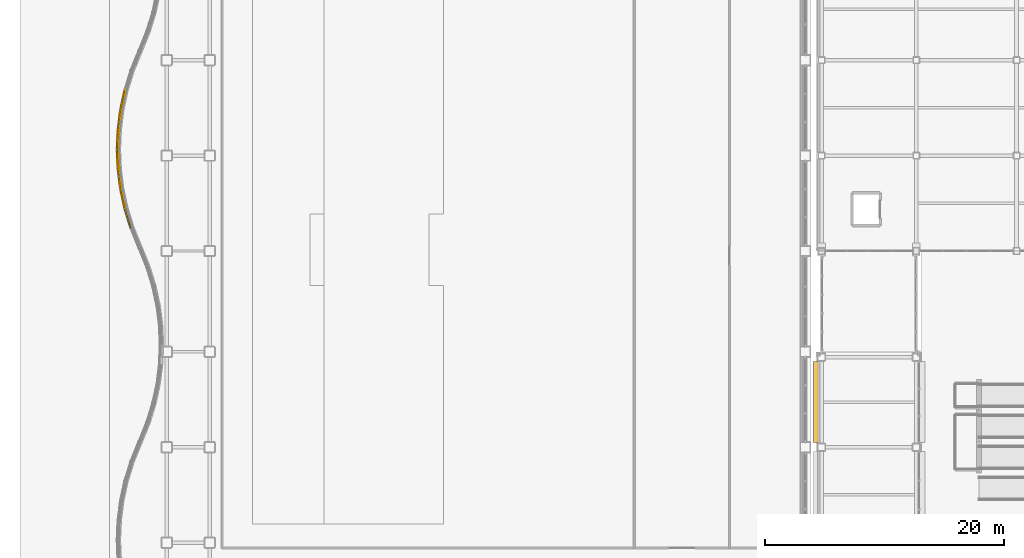
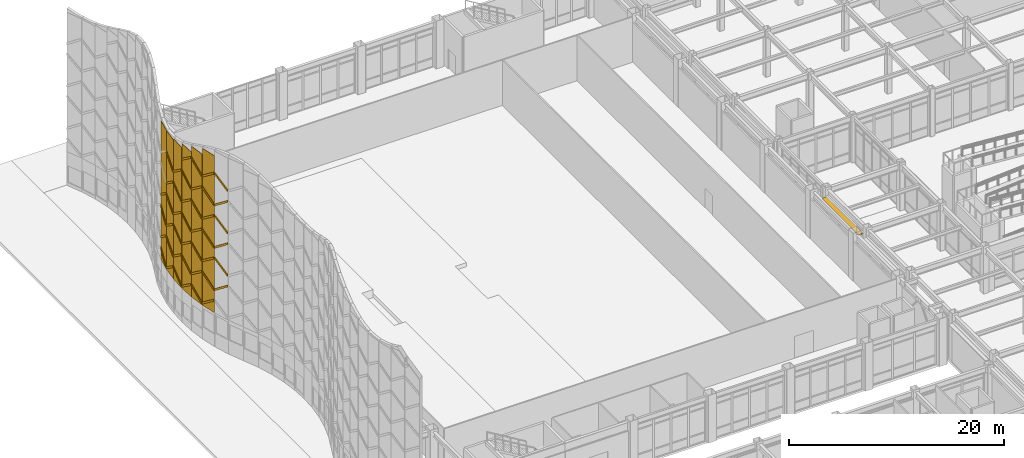
# One storey, part 154 of 165: 49 coverings, 1 shading device.
"""IFC4 building model written with IfcOpenShell, lengths in metres."""

from ifc_helpers import new_model, si_unit, direction, frame, origin, origin_2d, place, context, subcontext, project, spatial, polyline, rectangle, outline, extrude, material, layer, layer_set, type_object, element, save


model = new_model("IFC4")

# Units and contexts
model_context = context("Model", 3, precision=1e-05, world=origin(), true_north=direction((0.0, 1.0)))
body_context = subcontext(model_context, "Body", "Model", "MODEL_VIEW")
ifc_project = project(units=[si_unit("LENGTHUNIT", "METRE"), si_unit("AREAUNIT", "SQUARE_METRE"), si_unit("VOLUMEUNIT", "CUBIC_METRE"), si_unit("PLANEANGLEUNIT", "RADIAN"), si_unit("MASSUNIT", "GRAM", prefix="KILO")], contexts=[model_context])

# Site, building, storey
site_placement = place(None, origin())
site = spatial("IfcSite", under=ifc_project, at=site_placement, CompositionType="ELEMENT")
building_placement = place(site_placement, origin())
building = spatial("IfcBuilding", under=site, at=building_placement, Name="Kazehara Bluff Congress Hotel", CompositionType="ELEMENT")
storey_placement = place(building_placement, origin())
storey = spatial("IfcBuildingStorey", under=building, at=storey_placement, Name="L00", CompositionType="ELEMENT", Elevation=0.0)

# Coverings
ifc_material_1 = material(Name="Basalt stone-grey chevron ceramic tile", Category="masonry")
ifc_layer_1 = layer(ifc_material_1, 0.1201171875)
ifc_layer_set_1 = layer_set([ifc_layer_1], Name="Basalt stone-grey chevron ceramic tile")
covering_type_1 = type_object("IfcCoveringType", Name="TP-CHV-RIB", PredefinedType="CLADDING", material=ifc_layer_set_1)
covering_1_placement = place(storey_placement, frame((1.764892578125, 82.81494140625, 6.39990234375), z_axis=(0.0, 0.0, 1.0), x_axis=(-0.295048165385, 0.955482380844, 0.0)))
element("IfcCovering", 1, at=covering_1_placement, inside=storey, type_object=covering_type_1, Name="Chevron stone-grey tile rib WR-V1-22-2", PredefinedType="CLADDING", context=body_context, shape_type="SweptSolid", body=[
    extrude(outline(polyline([(0.0400390625, 1.175048828125), (1.669921875, 0.0), (1.669921875, 0.239990234375), (0.0400390625, 1.4150390625), (0.0400390625, 1.175048828125)])), frame((0.0, 0.06005859375, 0.0), z_axis=(0.0, -1.0, 0.0), x_axis=(1.0, 0.0, 0.0)), (0.0, 0.0, 1.0), 0.1201171875),
])
covering_2_placement = place(storey_placement, frame((1.764892578125, 82.81494140625, 8.800048828125), z_axis=(0.0, 0.0, 1.0), x_axis=(-0.295048165385, 0.955482380844, 0.0)))
element("IfcCovering", 2, at=covering_2_placement, inside=storey, type_object=covering_type_1, Name="Chevron stone-grey tile rib WR-V1-22-3", PredefinedType="CLADDING", context=body_context, shape_type="SweptSolid", body=[
    extrude(outline(polyline([(0.0400390625, 0.0), (1.669921875, 1.175048828125), (1.669921875, 1.4150390625), (0.0400390625, 0.239990234375), (0.0400390625, 0.0)])), frame((0.0, 0.06005859375, 0.0), z_axis=(0.0, -1.0, 0.0), x_axis=(1.0, 0.0, 0.0)), (0.0, 0.0, 1.0), 0.1201171875),
])
covering_3_placement = place(storey_placement, frame((1.764892578125, 82.81494140625, 11.199951171875), z_axis=(0.0, 0.0, 1.0), x_axis=(-0.295048165385, 0.955482380844, 0.0)))
element("IfcCovering", 3, at=covering_3_placement, inside=storey, type_object=covering_type_1, Name="Chevron stone-grey tile rib WR-V1-22-4", PredefinedType="CLADDING", context=body_context, shape_type="SweptSolid", body=[
    extrude(outline(polyline([(0.0400390625, 1.175048828125), (1.669921875, 0.0), (1.669921875, 0.239990234375), (0.0400390625, 1.4150390625), (0.0400390625, 1.175048828125)])), frame((0.0, 0.06005859375, 0.0), z_axis=(0.0, -1.0, 0.0), x_axis=(1.0, 0.0, 0.0)), (0.0, 0.0, 1.0), 0.1201171875),
])
covering_4_placement = place(storey_placement, frame((1.764892578125, 82.81494140625, 13.60009765625), z_axis=(0.0, 0.0, 1.0), x_axis=(-0.295048165385, 0.955482380844, 0.0)))
element("IfcCovering", 4, at=covering_4_placement, inside=storey, type_object=covering_type_1, Name="Chevron stone-grey tile rib WR-V1-22-5", PredefinedType="CLADDING", context=body_context, shape_type="SweptSolid", body=[
    extrude(outline(polyline([(0.0400390625, 0.0), (1.669921875, 1.1748046875), (1.669921875, 1.414794921875), (0.0400390625, 0.239990234375), (0.0400390625, 0.0)])), frame((0.0, 0.06005859375, 0.0), z_axis=(0.0, -1.0, 0.0), x_axis=(1.0, 0.0, 0.0)), (0.0, 0.0, 1.0), 0.1201171875),
])
covering_5_placement = place(storey_placement, frame((1.764892578125, 82.81494140625, 16.0), z_axis=(0.0, 0.0, 1.0), x_axis=(-0.295048165385, 0.955482380844, 0.0)))
element("IfcCovering", 5, at=covering_5_placement, inside=storey, type_object=covering_type_1, Name="Chevron stone-grey tile rib WR-V1-22-6", PredefinedType="CLADDING", context=body_context, shape_type="SweptSolid", body=[
    extrude(outline(polyline([(0.0400390625, 1.175048828125), (1.669921875, 0.0), (1.669921875, 0.239990234375), (0.0400390625, 1.4150390625), (0.0400390625, 1.175048828125)])), frame((0.0, 0.06005859375, 0.0), z_axis=(0.0, -1.0, 0.0), x_axis=(1.0, 0.0, 0.0)), (0.0, 0.0, 1.0), 0.1201171875),
])
covering_6_placement = place(storey_placement, frame((1.764892578125, 82.81494140625, 18.39990234375), z_axis=(0.0, 0.0, 1.0), x_axis=(-0.295048165385, 0.955482380844, 0.0)))
element("IfcCovering", 6, at=covering_6_placement, inside=storey, type_object=covering_type_1, Name="Chevron stone-grey tile rib WR-V1-22-7", PredefinedType="CLADDING", context=body_context, shape_type="SweptSolid", body=[
    extrude(outline(polyline([(0.0400390625, 0.0), (1.669921875, 1.175048828125), (1.669921875, 1.4150390625), (0.0400390625, 0.239990234375), (0.0400390625, 0.0)])), frame((0.0, 0.06005859375, 0.0), z_axis=(0.0, -1.0, 0.0), x_axis=(1.0, 0.0, 0.0)), (0.0, 0.0, 1.0), 0.1201171875),
])
covering_7_placement = place(storey_placement, frame((1.2548828125, 84.465087890625, 4.0), z_axis=(0.0, 0.0, 1.0), x_axis=(-0.211565717967, 0.97736377413, 0.0)))
element("IfcCovering", 7, at=covering_7_placement, inside=storey, type_object=covering_type_1, Name="Chevron stone-grey tile rib WR-V1-23-1", PredefinedType="CLADDING", context=body_context, shape_type="SweptSolid", body=[
    extrude(outline(polyline([(0.0400390625, 1.14990234375), (1.639892578125, 0.0), (1.639892578125, 0.239990234375), (0.0400390625, 1.389892578125), (0.0400390625, 1.14990234375)])), frame((0.0, 0.06005859375, 0.0), z_axis=(0.0, -1.0, 0.0), x_axis=(1.0, 0.0, 0.0)), (0.0, 0.0, 1.0), 0.1201171875),
])
covering_8_placement = place(storey_placement, frame((1.2548828125, 84.465087890625, 6.39990234375), z_axis=(0.0, 0.0, 1.0), x_axis=(-0.211565717967, 0.97736377413, 0.0)))
element("IfcCovering", 8, at=covering_8_placement, inside=storey, type_object=covering_type_1, Name="Chevron stone-grey tile rib WR-V1-23-2", PredefinedType="CLADDING", context=body_context, shape_type="SweptSolid", body=[
    extrude(outline(polyline([(0.0400390625, 0.0), (1.639892578125, 1.150146484375), (1.639892578125, 1.39013671875), (0.0400390625, 0.239990234375), (0.0400390625, 0.0)])), frame((0.0, 0.06005859375, 0.0), z_axis=(0.0, -1.0, 0.0), x_axis=(1.0, 0.0, 0.0)), (0.0, 0.0, 1.0), 0.1201171875),
])
covering_9_placement = place(storey_placement, frame((1.2548828125, 84.465087890625, 8.800048828125), z_axis=(0.0, 0.0, 1.0), x_axis=(-0.211565717967, 0.97736377413, 0.0)))
element("IfcCovering", 9, at=covering_9_placement, inside=storey, type_object=covering_type_1, Name="Chevron stone-grey tile rib WR-V1-23-3", PredefinedType="CLADDING", context=body_context, shape_type="SweptSolid", body=[
    extrude(outline(polyline([(0.0400390625, 1.14990234375), (1.639892578125, 0.0), (1.639892578125, 0.239990234375), (0.0400390625, 1.389892578125), (0.0400390625, 1.14990234375)])), frame((0.0, 0.06005859375, 0.0), z_axis=(0.0, -1.0, 0.0), x_axis=(1.0, 0.0, 0.0)), (0.0, 0.0, 1.0), 0.1201171875),
])
covering_10_placement = place(storey_placement, frame((1.2548828125, 84.465087890625, 11.199951171875), z_axis=(0.0, 0.0, 1.0), x_axis=(-0.211565717967, 0.97736377413, 0.0)))
element("IfcCovering", 10, at=covering_10_placement, inside=storey, type_object=covering_type_1, Name="Chevron stone-grey tile rib WR-V1-23-4", PredefinedType="CLADDING", context=body_context, shape_type="SweptSolid", body=[
    extrude(outline(polyline([(0.0400390625, 0.0), (1.639892578125, 1.150146484375), (1.639892578125, 1.39013671875), (0.0400390625, 0.239990234375), (0.0400390625, 0.0)])), frame((0.0, 0.06005859375, 0.0), z_axis=(0.0, -1.0, 0.0), x_axis=(1.0, 0.0, 0.0)), (0.0, 0.0, 1.0), 0.1201171875),
])
covering_11_placement = place(storey_placement, frame((1.2548828125, 84.465087890625, 13.60009765625), z_axis=(0.0, 0.0, 1.0), x_axis=(-0.211565717967, 0.97736377413, 0.0)))
element("IfcCovering", 11, at=covering_11_placement, inside=storey, type_object=covering_type_1, Name="Chevron stone-grey tile rib WR-V1-23-5", PredefinedType="CLADDING", context=body_context, shape_type="SweptSolid", body=[
    extrude(outline(polyline([(0.0400390625, 1.14990234375), (1.639892578125, 0.0), (1.639892578125, 0.239990234375), (0.0400390625, 1.389892578125), (0.0400390625, 1.14990234375)])), frame((0.0, 0.06005859375, 0.0), z_axis=(0.0, -1.0, 0.0), x_axis=(1.0, 0.0, 0.0)), (0.0, 0.0, 1.0), 0.1201171875),
])
covering_12_placement = place(storey_placement, frame((1.2548828125, 84.465087890625, 16.0), z_axis=(0.0, 0.0, 1.0), x_axis=(-0.211565717967, 0.97736377413, 0.0)))
element("IfcCovering", 12, at=covering_12_placement, inside=storey, type_object=covering_type_1, Name="Chevron stone-grey tile rib WR-V1-23-6", PredefinedType="CLADDING", context=body_context, shape_type="SweptSolid", body=[
    extrude(outline(polyline([(0.0400390625, 0.0), (1.639892578125, 1.14990234375), (1.639892578125, 1.389892578125), (0.0400390625, 0.239990234375), (0.0400390625, 0.0)])), frame((0.0, 0.06005859375, 0.0), z_axis=(0.0, -1.0, 0.0), x_axis=(1.0, 0.0, 0.0)), (0.0, 0.0, 1.0), 0.1201171875),
])
covering_13_placement = place(storey_placement, frame((1.2548828125, 84.465087890625, 18.39990234375), z_axis=(0.0, 0.0, 1.0), x_axis=(-0.211565717967, 0.97736377413, 0.0)))
element("IfcCovering", 13, at=covering_13_placement, inside=storey, type_object=covering_type_1, Name="Chevron stone-grey tile rib WR-V1-23-7", PredefinedType="CLADDING", context=body_context, shape_type="SweptSolid", body=[
    extrude(outline(polyline([(0.0400390625, 1.150146484375), (1.639892578125, 0.0), (1.639892578125, 0.239990234375), (0.0400390625, 1.39013671875), (0.0400390625, 1.150146484375)])), frame((0.0, 0.06005859375, 0.0), z_axis=(0.0, -1.0, 0.0), x_axis=(1.0, 0.0, 0.0)), (0.0, 0.0, 1.0), 0.1201171875),
])
covering_14_placement = place(storey_placement, frame((0.89501953125, 86.1201171875, 4.0), z_axis=(0.0, 0.0, 1.0), x_axis=(-0.12408927914, 0.992271057122, 0.0)))
element("IfcCovering", 14, at=covering_14_placement, inside=storey, type_object=covering_type_1, Name="Chevron stone-grey tile rib WR-V1-24-1", PredefinedType="CLADDING", context=body_context, shape_type="SweptSolid", body=[
    extrude(outline(polyline([(0.0400390625, 0.0), (1.614990234375, 1.135009765625), (1.614990234375, 1.375), (0.0400390625, 0.239990234375), (0.0400390625, 0.0)])), frame((0.0, 0.06005859375, 0.0), z_axis=(0.0, -1.0, 0.0), x_axis=(1.0, 0.0, 0.0)), (0.0, 0.0, 1.0), 0.1201171875),
])
covering_15_placement = place(storey_placement, frame((0.89501953125, 86.1201171875, 6.39990234375), z_axis=(0.0, 0.0, 1.0), x_axis=(-0.12408927914, 0.992271057122, 0.0)))
element("IfcCovering", 15, at=covering_15_placement, inside=storey, type_object=covering_type_1, Name="Chevron stone-grey tile rib WR-V1-24-2", PredefinedType="CLADDING", context=body_context, shape_type="SweptSolid", body=[
    extrude(outline(polyline([(0.0400390625, 1.135009765625), (1.614990234375, 0.0), (1.614990234375, 0.239990234375), (0.0400390625, 1.375), (0.0400390625, 1.135009765625)])), frame((0.0, 0.06005859375, 0.0), z_axis=(0.0, -1.0, 0.0), x_axis=(1.0, 0.0, 0.0)), (0.0, 0.0, 1.0), 0.1201171875),
])
covering_16_placement = place(storey_placement, frame((0.89501953125, 86.1201171875, 8.800048828125), z_axis=(0.0, 0.0, 1.0), x_axis=(-0.12408927914, 0.992271057122, 0.0)))
element("IfcCovering", 16, at=covering_16_placement, inside=storey, type_object=covering_type_1, Name="Chevron stone-grey tile rib WR-V1-24-3", PredefinedType="CLADDING", context=body_context, shape_type="SweptSolid", body=[
    extrude(outline(polyline([(0.0400390625, 0.0), (1.614990234375, 1.135009765625), (1.614990234375, 1.375), (0.0400390625, 0.239990234375), (0.0400390625, 0.0)])), frame((0.0, 0.06005859375, 0.0), z_axis=(0.0, -1.0, 0.0), x_axis=(1.0, 0.0, 0.0)), (0.0, 0.0, 1.0), 0.1201171875),
])
covering_17_placement = place(storey_placement, frame((0.89501953125, 86.1201171875, 11.199951171875), z_axis=(0.0, 0.0, 1.0), x_axis=(-0.12408927914, 0.992271057122, 0.0)))
element("IfcCovering", 17, at=covering_17_placement, inside=storey, type_object=covering_type_1, Name="Chevron stone-grey tile rib WR-V1-24-4", PredefinedType="CLADDING", context=body_context, shape_type="SweptSolid", body=[
    extrude(outline(polyline([(0.0400390625, 1.135009765625), (1.614990234375, 0.0), (1.614990234375, 0.239990234375), (0.0400390625, 1.375), (0.0400390625, 1.135009765625)])), frame((0.0, 0.06005859375, 0.0), z_axis=(0.0, -1.0, 0.0), x_axis=(1.0, 0.0, 0.0)), (0.0, 0.0, 1.0), 0.1201171875),
])
covering_18_placement = place(storey_placement, frame((0.89501953125, 86.1201171875, 13.60009765625), z_axis=(0.0, 0.0, 1.0), x_axis=(-0.12408927914, 0.992271057122, 0.0)))
element("IfcCovering", 18, at=covering_18_placement, inside=storey, type_object=covering_type_1, Name="Chevron stone-grey tile rib WR-V1-24-5", PredefinedType="CLADDING", context=body_context, shape_type="SweptSolid", body=[
    extrude(outline(polyline([(0.0400390625, 0.0), (1.614990234375, 1.135009765625), (1.614990234375, 1.375), (0.0400390625, 0.239990234375), (0.0400390625, 0.0)])), frame((0.0, 0.06005859375, 0.0), z_axis=(0.0, -1.0, 0.0), x_axis=(1.0, 0.0, 0.0)), (0.0, 0.0, 1.0), 0.1201171875),
])
covering_19_placement = place(storey_placement, frame((0.89501953125, 86.1201171875, 16.0), z_axis=(0.0, 0.0, 1.0), x_axis=(-0.12408927914, 0.992271057122, 0.0)))
element("IfcCovering", 19, at=covering_19_placement, inside=storey, type_object=covering_type_1, Name="Chevron stone-grey tile rib WR-V1-24-6", PredefinedType="CLADDING", context=body_context, shape_type="SweptSolid", body=[
    extrude(outline(polyline([(0.0400390625, 1.135009765625), (1.614990234375, 0.0), (1.614990234375, 0.239990234375), (0.0400390625, 1.375), (0.0400390625, 1.135009765625)])), frame((0.0, 0.06005859375, 0.0), z_axis=(0.0, -1.0, 0.0), x_axis=(1.0, 0.0, 0.0)), (0.0, 0.0, 1.0), 0.1201171875),
])
covering_20_placement = place(storey_placement, frame((0.89501953125, 86.1201171875, 18.39990234375), z_axis=(0.0, 0.0, 1.0), x_axis=(-0.12408927914, 0.992271057122, 0.0)))
element("IfcCovering", 20, at=covering_20_placement, inside=storey, type_object=covering_type_1, Name="Chevron stone-grey tile rib WR-V1-24-7", PredefinedType="CLADDING", context=body_context, shape_type="SweptSolid", body=[
    extrude(outline(polyline([(0.0400390625, 0.0), (1.614990234375, 1.135009765625), (1.614990234375, 1.375), (0.0400390625, 0.239990234375), (0.0400390625, 0.0)])), frame((0.0, 0.06005859375, 0.0), z_axis=(0.0, -1.0, 0.0), x_axis=(1.0, 0.0, 0.0)), (0.0, 0.0, 1.0), 0.1201171875),
])
covering_21_placement = place(storey_placement, frame((0.68994140625, 87.77490234375, 4.0), z_axis=(0.0, 0.0, 1.0), x_axis=(-0.04253366772, 0.999095034073, 0.0)))
element("IfcCovering", 21, at=covering_21_placement, inside=storey, type_object=covering_type_1, Name="Chevron stone-grey tile rib WR-V1-25-1", PredefinedType="CLADDING", context=body_context, shape_type="SweptSolid", body=[
    extrude(outline(polyline([(0.0400390625, 1.125), (1.60009765625, 0.0), (1.60009765625, 0.239990234375), (0.0400390625, 1.364990234375), (0.0400390625, 1.125)])), frame((0.0, 0.06005859375, 0.0), z_axis=(0.0, -1.0, 0.0), x_axis=(1.0, 0.0, 0.0)), (0.0, 0.0, 1.0), 0.1201171875),
])
covering_22_placement = place(storey_placement, frame((0.68994140625, 87.77490234375, 6.39990234375), z_axis=(0.0, 0.0, 1.0), x_axis=(-0.04253366772, 0.999095034073, 0.0)))
element("IfcCovering", 22, at=covering_22_placement, inside=storey, type_object=covering_type_1, Name="Chevron stone-grey tile rib WR-V1-25-2", PredefinedType="CLADDING", context=body_context, shape_type="SweptSolid", body=[
    extrude(outline(polyline([(0.0400390625, 0.0), (1.60009765625, 1.125), (1.60009765625, 1.364990234375), (0.0400390625, 0.239990234375), (0.0400390625, 0.0)])), frame((0.0, 0.06005859375, 0.0), z_axis=(0.0, -1.0, 0.0), x_axis=(1.0, 0.0, 0.0)), (0.0, 0.0, 1.0), 0.1201171875),
])
covering_23_placement = place(storey_placement, frame((0.68994140625, 87.77490234375, 8.800048828125), z_axis=(0.0, 0.0, 1.0), x_axis=(-0.04253366772, 0.999095034073, 0.0)))
element("IfcCovering", 23, at=covering_23_placement, inside=storey, type_object=covering_type_1, Name="Chevron stone-grey tile rib WR-V1-25-3", PredefinedType="CLADDING", context=body_context, shape_type="SweptSolid", body=[
    extrude(outline(polyline([(0.0400390625, 1.125), (1.60009765625, 0.0), (1.60009765625, 0.239990234375), (0.0400390625, 1.364990234375), (0.0400390625, 1.125)])), frame((0.0, 0.06005859375, 0.0), z_axis=(0.0, -1.0, 0.0), x_axis=(1.0, 0.0, 0.0)), (0.0, 0.0, 1.0), 0.1201171875),
])
covering_24_placement = place(storey_placement, frame((0.68994140625, 87.77490234375, 11.199951171875), z_axis=(0.0, 0.0, 1.0), x_axis=(-0.04253366772, 0.999095034073, 0.0)))
element("IfcCovering", 24, at=covering_24_placement, inside=storey, type_object=covering_type_1, Name="Chevron stone-grey tile rib WR-V1-25-4", PredefinedType="CLADDING", context=body_context, shape_type="SweptSolid", body=[
    extrude(outline(polyline([(0.0400390625, 0.0), (1.60009765625, 1.125), (1.60009765625, 1.364990234375), (0.0400390625, 0.239990234375), (0.0400390625, 0.0)])), frame((0.0, 0.06005859375, 0.0), z_axis=(0.0, -1.0, 0.0), x_axis=(1.0, 0.0, 0.0)), (0.0, 0.0, 1.0), 0.1201171875),
])
covering_25_placement = place(storey_placement, frame((0.68994140625, 87.77490234375, 13.60009765625), z_axis=(0.0, 0.0, 1.0), x_axis=(-0.04253366772, 0.999095034073, 0.0)))
element("IfcCovering", 25, at=covering_25_placement, inside=storey, type_object=covering_type_1, Name="Chevron stone-grey tile rib WR-V1-25-5", PredefinedType="CLADDING", context=body_context, shape_type="SweptSolid", body=[
    extrude(outline(polyline([(0.0400390625, 1.125), (1.60009765625, 0.0), (1.60009765625, 0.239990234375), (0.0400390625, 1.364990234375), (0.0400390625, 1.125)])), frame((0.0, 0.06005859375, 0.0), z_axis=(0.0, -1.0, 0.0), x_axis=(1.0, 0.0, 0.0)), (0.0, 0.0, 1.0), 0.1201171875),
])
covering_26_placement = place(storey_placement, frame((0.68994140625, 87.77490234375, 16.0), z_axis=(0.0, 0.0, 1.0), x_axis=(-0.04253366772, 0.999095034073, 0.0)))
element("IfcCovering", 26, at=covering_26_placement, inside=storey, type_object=covering_type_1, Name="Chevron stone-grey tile rib WR-V1-25-6", PredefinedType="CLADDING", context=body_context, shape_type="SweptSolid", body=[
    extrude(outline(polyline([(0.0400390625, 0.0), (1.60009765625, 1.125), (1.60009765625, 1.364990234375), (0.0400390625, 0.239990234375), (0.0400390625, 0.0)])), frame((0.0, 0.06005859375, 0.0), z_axis=(0.0, -1.0, 0.0), x_axis=(1.0, 0.0, 0.0)), (0.0, 0.0, 1.0), 0.1201171875),
])
covering_27_placement = place(storey_placement, frame((0.68994140625, 87.77490234375, 18.39990234375), z_axis=(0.0, 0.0, 1.0), x_axis=(-0.04253366772, 0.999095034073, 0.0)))
element("IfcCovering", 27, at=covering_27_placement, inside=storey, type_object=covering_type_1, Name="Chevron stone-grey tile rib WR-V1-25-7", PredefinedType="CLADDING", context=body_context, shape_type="SweptSolid", body=[
    extrude(outline(polyline([(0.0400390625, 1.125), (1.60009765625, 0.0), (1.60009765625, 0.239990234375), (0.0400390625, 1.364990234375), (0.0400390625, 1.125)])), frame((0.0, 0.06005859375, 0.0), z_axis=(0.0, -1.0, 0.0), x_axis=(1.0, 0.0, 0.0)), (0.0, 0.0, 1.0), 0.1201171875),
])
covering_28_placement = place(storey_placement, frame((0.6201171875, 89.425048828125, 4.0), z_axis=(0.0, 0.0, 1.0), x_axis=(0.042539988504, 0.999094764964, 0.0)))
element("IfcCovering", 28, at=covering_28_placement, inside=storey, type_object=covering_type_1, Name="Chevron stone-grey tile rib WR-V1-26-1", PredefinedType="CLADDING", context=body_context, shape_type="SweptSolid", body=[
    extrude(outline(polyline([(0.0400390625, 0.0), (1.60009765625, 1.125), (1.60009765625, 1.364990234375), (0.0400390625, 0.239990234375), (0.0400390625, 0.0)])), frame((0.0, 0.06005859375, 0.0), z_axis=(0.0, -1.0, 0.0), x_axis=(1.0, 0.0, 0.0)), (0.0, 0.0, 1.0), 0.1201171875),
])
covering_29_placement = place(storey_placement, frame((0.6201171875, 89.425048828125, 6.39990234375), z_axis=(0.0, 0.0, 1.0), x_axis=(0.042539988504, 0.999094764964, 0.0)))
element("IfcCovering", 29, at=covering_29_placement, inside=storey, type_object=covering_type_1, Name="Chevron stone-grey tile rib WR-V1-26-2", PredefinedType="CLADDING", context=body_context, shape_type="SweptSolid", body=[
    extrude(outline(polyline([(0.0400390625, 1.125), (1.60009765625, 0.0), (1.60009765625, 0.239990234375), (0.0400390625, 1.364990234375), (0.0400390625, 1.125)])), frame((0.0, 0.06005859375, 0.0), z_axis=(0.0, -1.0, 0.0), x_axis=(1.0, 0.0, 0.0)), (0.0, 0.0, 1.0), 0.1201171875),
])
covering_30_placement = place(storey_placement, frame((0.6201171875, 89.425048828125, 8.800048828125), z_axis=(0.0, 0.0, 1.0), x_axis=(0.042539988504, 0.999094764964, 0.0)))
element("IfcCovering", 30, at=covering_30_placement, inside=storey, type_object=covering_type_1, Name="Chevron stone-grey tile rib WR-V1-26-3", PredefinedType="CLADDING", context=body_context, shape_type="SweptSolid", body=[
    extrude(outline(polyline([(0.0400390625, 0.0), (1.60009765625, 1.125), (1.60009765625, 1.364990234375), (0.0400390625, 0.239990234375), (0.0400390625, 0.0)])), frame((0.0, 0.06005859375, 0.0), z_axis=(0.0, -1.0, 0.0), x_axis=(1.0, 0.0, 0.0)), (0.0, 0.0, 1.0), 0.1201171875),
])
covering_31_placement = place(storey_placement, frame((0.6201171875, 89.425048828125, 11.199951171875), z_axis=(0.0, 0.0, 1.0), x_axis=(0.042539988504, 0.999094764964, 0.0)))
element("IfcCovering", 31, at=covering_31_placement, inside=storey, type_object=covering_type_1, Name="Chevron stone-grey tile rib WR-V1-26-4", PredefinedType="CLADDING", context=body_context, shape_type="SweptSolid", body=[
    extrude(outline(polyline([(0.0400390625, 1.125), (1.60009765625, 0.0), (1.60009765625, 0.239990234375), (0.0400390625, 1.364990234375), (0.0400390625, 1.125)])), frame((0.0, 0.06005859375, 0.0), z_axis=(0.0, -1.0, 0.0), x_axis=(1.0, 0.0, 0.0)), (0.0, 0.0, 1.0), 0.1201171875),
])
covering_32_placement = place(storey_placement, frame((0.6201171875, 89.425048828125, 13.60009765625), z_axis=(0.0, 0.0, 1.0), x_axis=(0.042539988504, 0.999094764964, 0.0)))
element("IfcCovering", 32, at=covering_32_placement, inside=storey, type_object=covering_type_1, Name="Chevron stone-grey tile rib WR-V1-26-5", PredefinedType="CLADDING", context=body_context, shape_type="SweptSolid", body=[
    extrude(outline(polyline([(0.0400390625, 0.0), (1.60009765625, 1.125), (1.60009765625, 1.364990234375), (0.0400390625, 0.239990234375), (0.0400390625, 0.0)])), frame((0.0, 0.06005859375, 0.0), z_axis=(0.0, -1.0, 0.0), x_axis=(1.0, 0.0, 0.0)), (0.0, 0.0, 1.0), 0.1201171875),
])
covering_33_placement = place(storey_placement, frame((0.6201171875, 89.425048828125, 16.0), z_axis=(0.0, 0.0, 1.0), x_axis=(0.042539988504, 0.999094764964, 0.0)))
element("IfcCovering", 33, at=covering_33_placement, inside=storey, type_object=covering_type_1, Name="Chevron stone-grey tile rib WR-V1-26-6", PredefinedType="CLADDING", context=body_context, shape_type="SweptSolid", body=[
    extrude(outline(polyline([(0.0400390625, 1.125), (1.60009765625, 0.0), (1.60009765625, 0.239990234375), (0.0400390625, 1.364990234375), (0.0400390625, 1.125)])), frame((0.0, 0.06005859375, 0.0), z_axis=(0.0, -1.0, 0.0), x_axis=(1.0, 0.0, 0.0)), (0.0, 0.0, 1.0), 0.1201171875),
])
covering_34_placement = place(storey_placement, frame((0.68994140625, 91.080078125, 4.0), z_axis=(0.0, 0.0, 1.0), x_axis=(0.124454129367, 0.992225362346, 0.0)))
element("IfcCovering", 34, at=covering_34_placement, inside=storey, type_object=covering_type_1, Name="Chevron stone-grey tile rib WR-V1-27-1", PredefinedType="CLADDING", context=body_context, shape_type="SweptSolid", body=[
    extrude(outline(polyline([(0.0400390625, 1.1298828125), (1.610107421875, 0.0), (1.610107421875, 0.239990234375), (0.0400390625, 1.3701171875), (0.0400390625, 1.1298828125)])), frame((0.0, 0.06005859375, 0.0), z_axis=(0.0, -1.0, 0.0), x_axis=(1.0, 0.0, 0.0)), (0.0, 0.0, 1.0), 0.1201171875),
])
covering_35_placement = place(storey_placement, frame((0.68994140625, 91.080078125, 6.39990234375), z_axis=(0.0, 0.0, 1.0), x_axis=(0.124454129367, 0.992225362346, 0.0)))
element("IfcCovering", 35, at=covering_35_placement, inside=storey, type_object=covering_type_1, Name="Chevron stone-grey tile rib WR-V1-27-2", PredefinedType="CLADDING", context=body_context, shape_type="SweptSolid", body=[
    extrude(outline(polyline([(0.0400390625, 0.0), (1.610107421875, 1.130126953125), (1.610107421875, 1.3701171875), (0.0400390625, 0.239990234375), (0.0400390625, 0.0)])), frame((0.0, 0.06005859375, 0.0), z_axis=(0.0, -1.0, 0.0), x_axis=(1.0, 0.0, 0.0)), (0.0, 0.0, 1.0), 0.1201171875),
])
covering_36_placement = place(storey_placement, frame((0.68994140625, 91.080078125, 8.800048828125), z_axis=(0.0, 0.0, 1.0), x_axis=(0.124454129367, 0.992225362346, 0.0)))
element("IfcCovering", 36, at=covering_36_placement, inside=storey, type_object=covering_type_1, Name="Chevron stone-grey tile rib WR-V1-27-3", PredefinedType="CLADDING", context=body_context, shape_type="SweptSolid", body=[
    extrude(outline(polyline([(0.0400390625, 1.1298828125), (1.610107421875, 0.0), (1.610107421875, 0.239990234375), (0.0400390625, 1.369873046875), (0.0400390625, 1.1298828125)])), frame((0.0, 0.06005859375, 0.0), z_axis=(0.0, -1.0, 0.0), x_axis=(1.0, 0.0, 0.0)), (0.0, 0.0, 1.0), 0.1201171875),
])
covering_37_placement = place(storey_placement, frame((0.68994140625, 91.080078125, 11.199951171875), z_axis=(0.0, 0.0, 1.0), x_axis=(0.124454129367, 0.992225362346, 0.0)))
element("IfcCovering", 37, at=covering_37_placement, inside=storey, type_object=covering_type_1, Name="Chevron stone-grey tile rib WR-V1-27-4", PredefinedType="CLADDING", context=body_context, shape_type="SweptSolid", body=[
    extrude(outline(polyline([(0.0400390625, 0.0), (1.610107421875, 1.130126953125), (1.610107421875, 1.3701171875), (0.0400390625, 0.239990234375), (0.0400390625, 0.0)])), frame((0.0, 0.06005859375, 0.0), z_axis=(0.0, -1.0, 0.0), x_axis=(1.0, 0.0, 0.0)), (0.0, 0.0, 1.0), 0.1201171875),
])
covering_38_placement = place(storey_placement, frame((0.68994140625, 91.080078125, 13.60009765625), z_axis=(0.0, 0.0, 1.0), x_axis=(0.124454129367, 0.992225362346, 0.0)))
element("IfcCovering", 38, at=covering_38_placement, inside=storey, type_object=covering_type_1, Name="Chevron stone-grey tile rib WR-V1-27-5", PredefinedType="CLADDING", context=body_context, shape_type="SweptSolid", body=[
    extrude(outline(polyline([(0.0400390625, 1.1298828125), (1.610107421875, 0.0), (1.610107421875, 0.239990234375), (0.0400390625, 1.369873046875), (0.0400390625, 1.1298828125)])), frame((0.0, 0.06005859375, 0.0), z_axis=(0.0, -1.0, 0.0), x_axis=(1.0, 0.0, 0.0)), (0.0, 0.0, 1.0), 0.1201171875),
])
covering_39_placement = place(storey_placement, frame((0.68994140625, 91.080078125, 16.0), z_axis=(0.0, 0.0, 1.0), x_axis=(0.124454129367, 0.992225362346, 0.0)))
element("IfcCovering", 39, at=covering_39_placement, inside=storey, type_object=covering_type_1, Name="Chevron stone-grey tile rib WR-V1-27-6", PredefinedType="CLADDING", context=body_context, shape_type="SweptSolid", body=[
    extrude(outline(polyline([(0.0400390625, 0.0), (1.610107421875, 1.1298828125), (1.610107421875, 1.3701171875), (0.0400390625, 0.239990234375), (0.0400390625, 0.0)])), frame((0.0, 0.06005859375, 0.0), z_axis=(0.0, -1.0, 0.0), x_axis=(1.0, 0.0, 0.0)), (0.0, 0.0, 1.0), 0.1201171875),
])
covering_40_placement = place(storey_placement, frame((0.89990234375, 92.72998046875, 4.0), z_axis=(0.0, 0.0, 1.0), x_axis=(0.2115356349, 0.977370285597, 0.0)))
element("IfcCovering", 40, at=covering_40_placement, inside=storey, type_object=covering_type_1, Name="Chevron stone-grey tile rib WR-V1-28-1", PredefinedType="CLADDING", context=body_context, shape_type="SweptSolid", body=[
    extrude(outline(polyline([(0.0400390625, 0.0), (1.639892578125, 1.14990234375), (1.639892578125, 1.389892578125), (0.0400390625, 0.239990234375), (0.0400390625, 0.0)])), frame((0.0, 0.06005859375, 0.0), z_axis=(0.0, -1.0, 0.0), x_axis=(1.0, 0.0, 0.0)), (0.0, 0.0, 1.0), 0.1201171875),
])
covering_41_placement = place(storey_placement, frame((0.89990234375, 92.72998046875, 6.39990234375), z_axis=(0.0, 0.0, 1.0), x_axis=(0.2115356349, 0.977370285597, 0.0)))
element("IfcCovering", 41, at=covering_41_placement, inside=storey, type_object=covering_type_1, Name="Chevron stone-grey tile rib WR-V1-28-2", PredefinedType="CLADDING", context=body_context, shape_type="SweptSolid", body=[
    extrude(outline(polyline([(0.0400390625, 1.150146484375), (1.639892578125, 0.0), (1.639892578125, 0.239990234375), (0.0400390625, 1.39013671875), (0.0400390625, 1.150146484375)])), frame((0.0, 0.06005859375, 0.0), z_axis=(0.0, -1.0, 0.0), x_axis=(1.0, 0.0, 0.0)), (0.0, 0.0, 1.0), 0.1201171875),
])
covering_42_placement = place(storey_placement, frame((0.89990234375, 92.72998046875, 8.800048828125), z_axis=(0.0, 0.0, 1.0), x_axis=(0.2115356349, 0.977370285597, 0.0)))
element("IfcCovering", 42, at=covering_42_placement, inside=storey, type_object=covering_type_1, Name="Chevron stone-grey tile rib WR-V1-28-3", PredefinedType="CLADDING", context=body_context, shape_type="SweptSolid", body=[
    extrude(outline(polyline([(0.0400390625, 0.0), (1.639892578125, 1.14990234375), (1.639892578125, 1.389892578125), (0.0400390625, 0.239990234375), (0.0400390625, 0.0)])), frame((0.0, 0.06005859375, 0.0), z_axis=(0.0, -1.0, 0.0), x_axis=(1.0, 0.0, 0.0)), (0.0, 0.0, 1.0), 0.1201171875),
])
covering_43_placement = place(storey_placement, frame((0.89990234375, 92.72998046875, 11.199951171875), z_axis=(0.0, 0.0, 1.0), x_axis=(0.2115356349, 0.977370285597, 0.0)))
element("IfcCovering", 43, at=covering_43_placement, inside=storey, type_object=covering_type_1, Name="Chevron stone-grey tile rib WR-V1-28-4", PredefinedType="CLADDING", context=body_context, shape_type="SweptSolid", body=[
    extrude(outline(polyline([(0.0400390625, 1.150146484375), (1.639892578125, 0.0), (1.639892578125, 0.239990234375), (0.0400390625, 1.39013671875), (0.0400390625, 1.150146484375)])), frame((0.0, 0.06005859375, 0.0), z_axis=(0.0, -1.0, 0.0), x_axis=(1.0, 0.0, 0.0)), (0.0, 0.0, 1.0), 0.1201171875),
])
ifc_material_2 = material(Name="Stone-grey ceramic rainscreen", Category="masonry")
ifc_layer_2 = layer(ifc_material_2, 0.044921875)
ifc_layer_set_2 = layer_set([ifc_layer_2], Name="Stone-grey ceramic rainscreen")
covering_type_2 = type_object("IfcCoveringType", Name="TP-CLD-01", PredefinedType="CLADDING", material=ifc_layer_set_2)
covering_44_placement = place(storey_placement, frame((1.10009765625, 85.2900390625, 3.85009765625), z_axis=(0.0, 0.0, 1.0), x_axis=(-0.211563617902, 0.977364228719, 0.0)))
element("IfcCovering", 44, at=covering_44_placement, inside=storey, type_object=covering_type_2, Name="Chevron stone-grey ceramic cladding WR-V1-23", PredefinedType="CLADDING", context=body_context, shape_type="SweptSolid", body=[
    extrude(rectangle(XDim=1.659912109375, YDim=0.044921875, at=origin_2d()), origin(), (0.0, 0.0, 1.0), 17.7900390625),
])
covering_45_placement = place(storey_placement, frame((0.820068359375, 86.93994140625, 3.85009765625), z_axis=(0.0, 0.0, 1.0), x_axis=(-0.12403445145, 0.992277912106, 0.0)))
element("IfcCovering", 45, at=covering_45_placement, inside=storey, type_object=covering_type_2, Name="Chevron stone-grey ceramic cladding WR-V1-24", PredefinedType="CLADDING", context=body_context, shape_type="SweptSolid", body=[
    extrude(rectangle(XDim=1.635009765625, YDim=0.044921875, at=origin_2d()), origin(), (0.0, 0.0, 1.0), 17.090087890625),
])
covering_46_placement = place(storey_placement, frame((0.679931640625, 88.594970703125, 3.84765625), z_axis=(0.0, 0.0, 1.0), x_axis=(-0.0426446563, 0.99909030287, 0.0)))
element("IfcCovering", 46, at=covering_46_placement, inside=storey, type_object=covering_type_2, Name="Chevron stone-grey ceramic cladding WR-V1-25", PredefinedType="CLADDING", context=body_context, shape_type="SweptSolid", body=[
    extrude(rectangle(XDim=1.6201171875, YDim=0.044921875, at=origin_2d()), origin(), (0.0, 0.0, 1.0), 16.405029296875),
])
covering_47_placement = place(storey_placement, frame((0.679931640625, 90.2451171875, 3.85009765625), z_axis=(0.0, 0.0, 1.0), x_axis=(0.0426446563, 0.99909030287, 0.0)))
element("IfcCovering", 47, at=covering_47_placement, inside=storey, type_object=covering_type_2, Name="Chevron stone-grey ceramic cladding WR-V1-26", PredefinedType="CLADDING", context=body_context, shape_type="SweptSolid", body=[
    extrude(rectangle(XDim=1.6201171875, YDim=0.044921875, at=origin_2d()), origin(), (0.0, 0.0, 1.0), 15.919921875),
])
covering_48_placement = place(storey_placement, frame((0.820068359375, 91.89501953125, 3.85009765625), z_axis=(0.0, 0.0, 1.0), x_axis=(0.124408522587, 0.992231081708, 0.0)))
element("IfcCovering", 48, at=covering_48_placement, inside=storey, type_object=covering_type_2, Name="Chevron stone-grey ceramic cladding WR-V1-27", PredefinedType="CLADDING", context=body_context, shape_type="SweptSolid", body=[
    extrude(rectangle(XDim=1.6298828125, YDim=0.044921875, at=origin_2d()), origin(), (0.0, 0.0, 1.0), 15.75),
])
covering_49_placement = place(storey_placement, frame((1.10009765625, 93.544921875, 3.85009765625), z_axis=(0.0, 0.0, 1.0), x_axis=(0.211563617902, 0.977364228719, 0.0)))
element("IfcCovering", 49, at=covering_49_placement, inside=storey, type_object=covering_type_2, Name="Chevron stone-grey ceramic cladding WR-V1-28", PredefinedType="CLADDING", context=body_context, shape_type="SweptSolid", body=[
    extrude(rectangle(XDim=1.659912109375, YDim=0.044921875, at=origin_2d()), origin(), (0.0, 0.0, 1.0), 15.75),
])

# Shading device
ifc_material_3 = material(Name="Anodised aluminium", Category="aluminium")
ifc_layer_3 = layer(ifc_material_3, 0.10009765625)
ifc_layer_set_3 = layer_set([ifc_layer_3], Name="Anodised aluminium")
shading_device_type = type_object("IfcShadingDeviceType", Name="TP-SHD-SCR", PredefinedType="USERDEFINED", material=ifc_layer_set_3)
shading_device_placement = place(storey_placement, frame((59.22998046875, 68.22509765625, 4.304931640625), z_axis=(0.0, 0.0, 1.0), x_axis=(1.0, 0.0, 0.0)))
element("IfcShadingDevice", 50, at=shading_device_placement, inside=storey, type_object=shading_device_type, Name="L00 V4 horizontal brise-soleil hood 12", ObjectType="SCREEN", PredefinedType="USERDEFINED", context=body_context, shape_type="SweptSolid", body=[
    extrude(rectangle(XDim=0.52001953125, YDim=6.800048828125, at=origin_2d()), origin(), (0.0, 0.0, 1.0), 0.10009765625),
])

save(model, "model.ifc")
